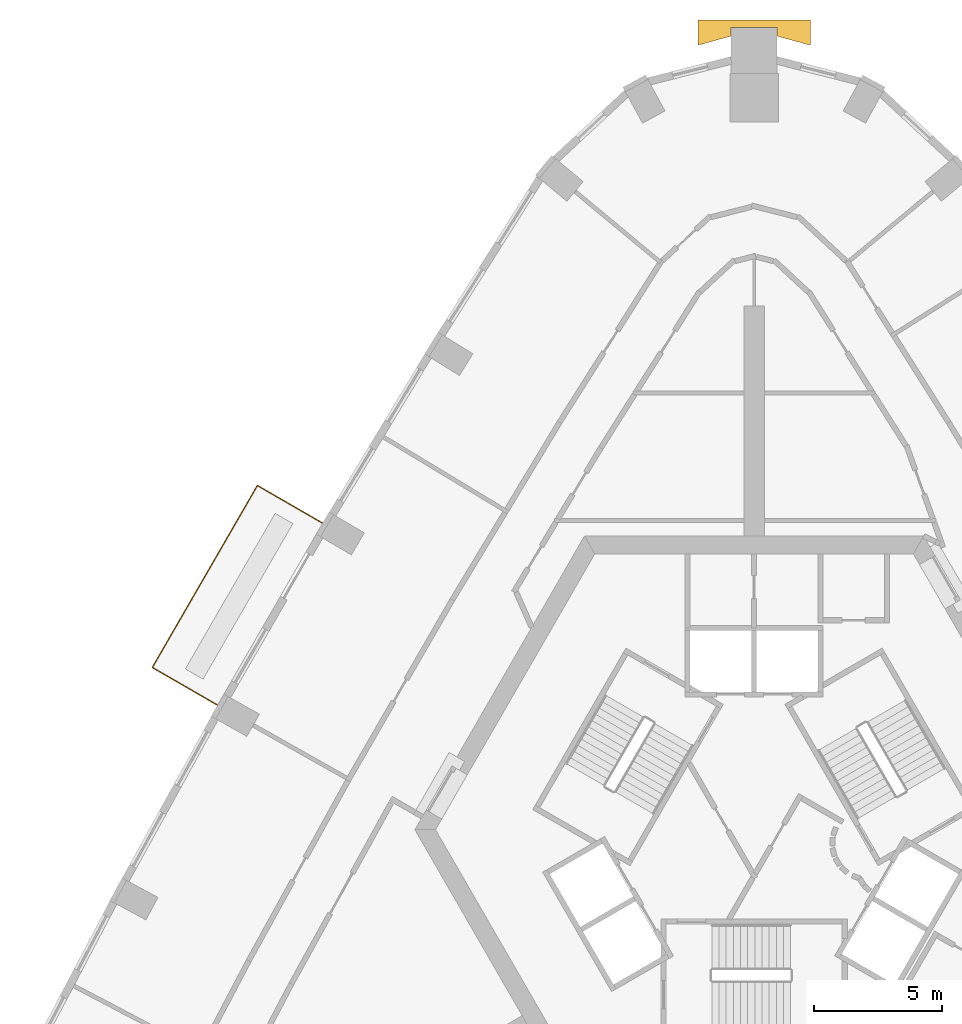
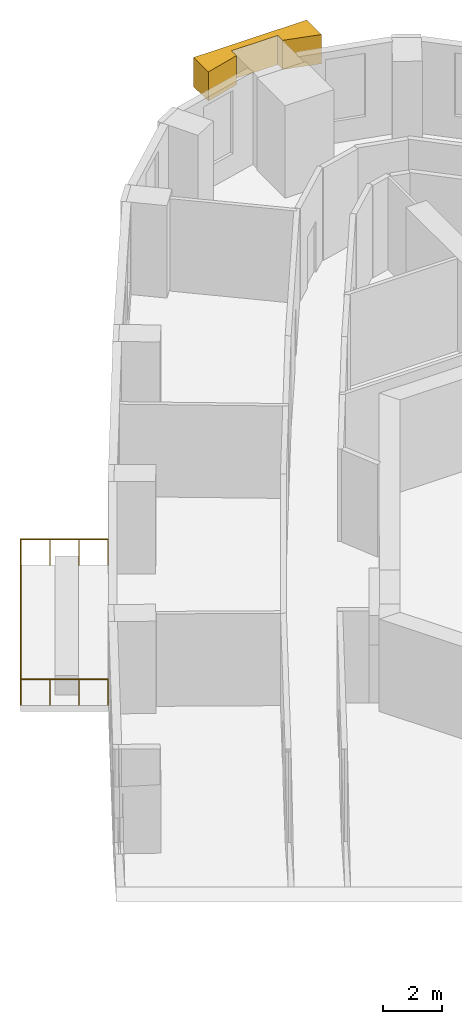
# One storey, part 13 of 13: 1 covering, 1 railing.
"""IFC4 building model written with IfcOpenShell, lengths in metres."""

from ifc_helpers import new_model, si_unit, direction, frame, origin, origin_2d, place, context, subcontext, project, spatial, polyline, circle, outline, extrude, material, type_object, element, save


model = new_model("IFC4")

# Units and contexts
model_context = context("Model", 3, precision=1e-05, world=origin(), true_north=direction((0.0, 1.0)))
body_context = subcontext(model_context, "Body", "Model", "MODEL_VIEW")
ifc_project = project(units=[si_unit("LENGTHUNIT", "METRE"), si_unit("AREAUNIT", "SQUARE_METRE"), si_unit("VOLUMEUNIT", "CUBIC_METRE"), si_unit("PLANEANGLEUNIT", "RADIAN"), si_unit("MASSUNIT", "GRAM", prefix="KILO")], contexts=[model_context])

# Site, building, storey
site_placement = place(None, origin())
site = spatial("IfcSite", under=ifc_project, at=site_placement, CompositionType="ELEMENT")
building_placement = place(site_placement, origin())
building = spatial("IfcBuilding", under=site, at=building_placement, Name="Entoto Arch Interchange Tower", CompositionType="ELEMENT")
storey_placement = place(building_placement, frame((0.0, 0.0, 198.199951171875)))
storey = spatial("IfcBuildingStorey", under=building, at=storey_placement, Name="L44", CompositionType="ELEMENT", Elevation=198.199951171875)

# Railing
ifc_material_1 = material(Name="Stainless steel 1.4301", Category="steel")
railing_type = type_object("IfcRailingType", Name="GUARD 1100 STEEL AND GLASS", PredefinedType="GUARDRAIL", material=ifc_material_1)
railing_placement = place(storey_placement, frame((-16.89111328125, 14.50390625, 0.0)))
element("IfcRailing", 1, at=railing_placement, inside=storey, type_object=railing_type, Name="Balcony guard NW-03 L44", PredefinedType="GUARDRAIL", context=body_context, shape_type="SweptSolid", body=[
    extrude(circle(Radius=0.02392578125, at=origin_2d()), frame((0.0, 0.0, 1.076171875), z_axis=(-0.866024349092, 0.500001826776, 0.0), x_axis=(-0.500001826776, -0.866024349092, 0.0)), (0.0, 0.0, 1.0), 2.9501953125),
    extrude(circle(Radius=0.02392578125, at=origin_2d()), frame((-2.554931640625, 1.47509765625, 1.076171875), z_axis=(-0.499970667573, -0.866042338207, 0.0), x_axis=(0.866042338207, -0.499970667573, 0.0)), (0.0, 0.0, 1.0), 8.23046875),
    extrude(circle(Radius=0.02392578125, at=origin_2d()), frame((-6.669921875, -5.65283203125, 1.076171875), z_axis=(0.866024349092, -0.500001826776, 0.0), x_axis=(0.500001826776, 0.866024349092, 0.0)), (0.0, 0.0, 1.0), 2.9501953125),
    extrude(circle(Radius=0.02099609375, at=origin_2d()), origin(), (0.0, 0.0, 1.0), 1.052001953125),
    extrude(circle(Radius=0.02099609375, at=origin_2d()), frame((-0.8515625, 0.49169921875, 0.0)), (0.0, 0.0, 1.0), 1.052001953125),
    extrude(circle(Radius=0.02099609375, at=origin_2d()), frame((-1.703369140625, 0.9833984375, 0.0)), (0.0, 0.0, 1.0), 1.052001953125),
    extrude(circle(Radius=0.02099609375, at=origin_2d()), frame((-2.554931640625, 1.47509765625, 0.0)), (0.0, 0.0, 1.0), 1.052001953125),
    extrude(circle(Radius=0.02099609375, at=origin_2d()), frame((-3.142822265625, 0.456787109375, 0.0)), (0.0, 0.0, 1.0), 1.052001953125),
    extrude(circle(Radius=0.02099609375, at=origin_2d()), frame((-3.730712890625, -0.5615234375, 0.0)), (0.0, 0.0, 1.0), 1.052001953125),
    extrude(circle(Radius=0.02099609375, at=origin_2d()), frame((-4.318603515625, -1.579833984375, 0.0)), (0.0, 0.0, 1.0), 1.052001953125),
    extrude(circle(Radius=0.02099609375, at=origin_2d()), frame((-4.90625, -2.597900390625, 0.0)), (0.0, 0.0, 1.0), 1.052001953125),
    extrude(circle(Radius=0.02099609375, at=origin_2d()), frame((-5.494140625, -3.6162109375, 0.0)), (0.0, 0.0, 1.0), 1.052001953125),
    extrude(circle(Radius=0.02099609375, at=origin_2d()), frame((-6.08203125, -4.634521484375, 0.0)), (0.0, 0.0, 1.0), 1.052001953125),
    extrude(circle(Radius=0.02099609375, at=origin_2d()), frame((-6.669921875, -5.65283203125, 0.0)), (0.0, 0.0, 1.0), 1.052001953125),
    extrude(circle(Radius=0.02099609375, at=origin_2d()), frame((-5.818359375, -6.14453125, 0.0)), (0.0, 0.0, 1.0), 1.052001953125),
    extrude(circle(Radius=0.02099609375, at=origin_2d()), frame((-4.966552734375, -6.63623046875, 0.0)), (0.0, 0.0, 1.0), 1.052001953125),
    extrude(circle(Radius=0.02099609375, at=origin_2d()), frame((-4.114990234375, -7.1279296875, 0.0)), (0.0, 0.0, 1.0), 1.052001953125),
])

# Covering
ifc_material_2 = material(Name="Board-marked precast concrete C50/60", Category="concrete")
covering_type = type_object("IfcCoveringType", Name="PRECAST FRAME COURSE", PredefinedType="CLADDING", material=ifc_material_2)
covering_placement = place(storey_placement, frame((0.0, 0.0, 2.60009765625)))
element("IfcCovering", 2, at=covering_placement, inside=storey, type_object=covering_type, Name="Corner pilaster head N L42-L44", PredefinedType="CLADDING", context=body_context, shape_type="SweptSolid", body=[
    extrude(outline(polyline([(-2.199951171875, 34.199951171875), (2.199951171875, 34.199951171875), (2.199951171875, 33.2119140625), (0.89990234375, 33.568115234375), (0.89990234375, 33.89990234375), (-0.89990234375, 33.89990234375), (-0.89990234375, 33.568115234375), (-2.199951171875, 33.2119140625), (-2.199951171875, 34.199951171875)])), origin(), (0.0, 0.0, 1.0), 1.199951171875),
])

save(model, "model.ifc")
